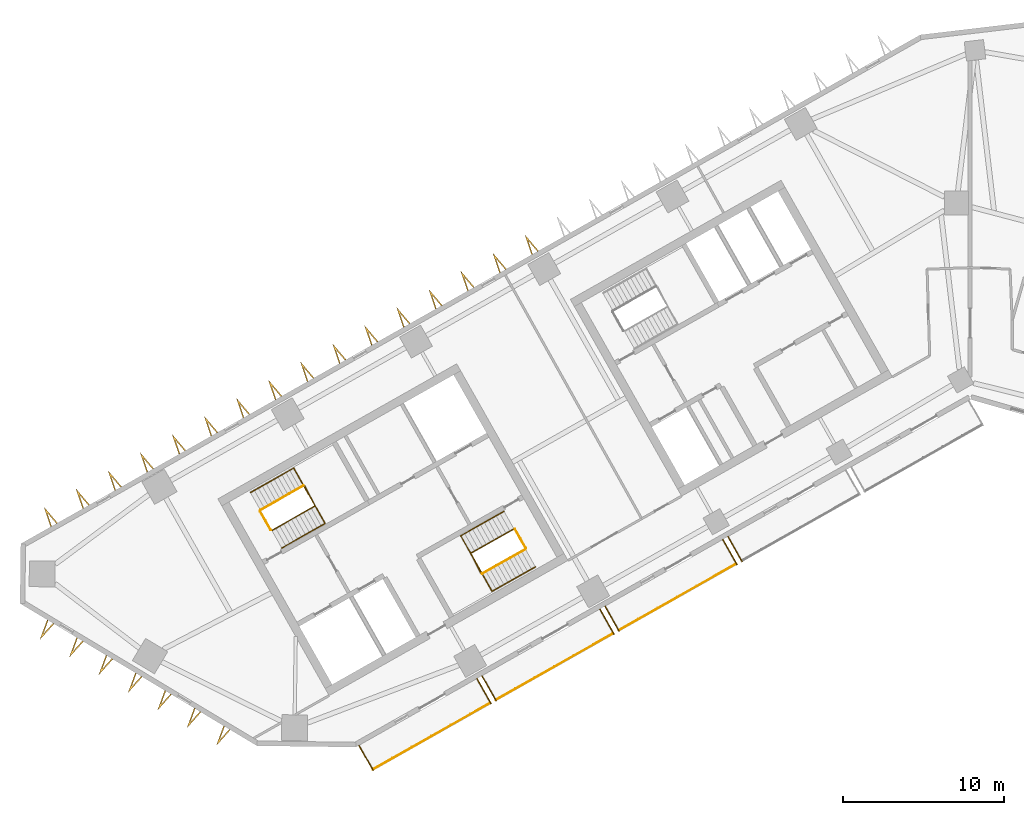
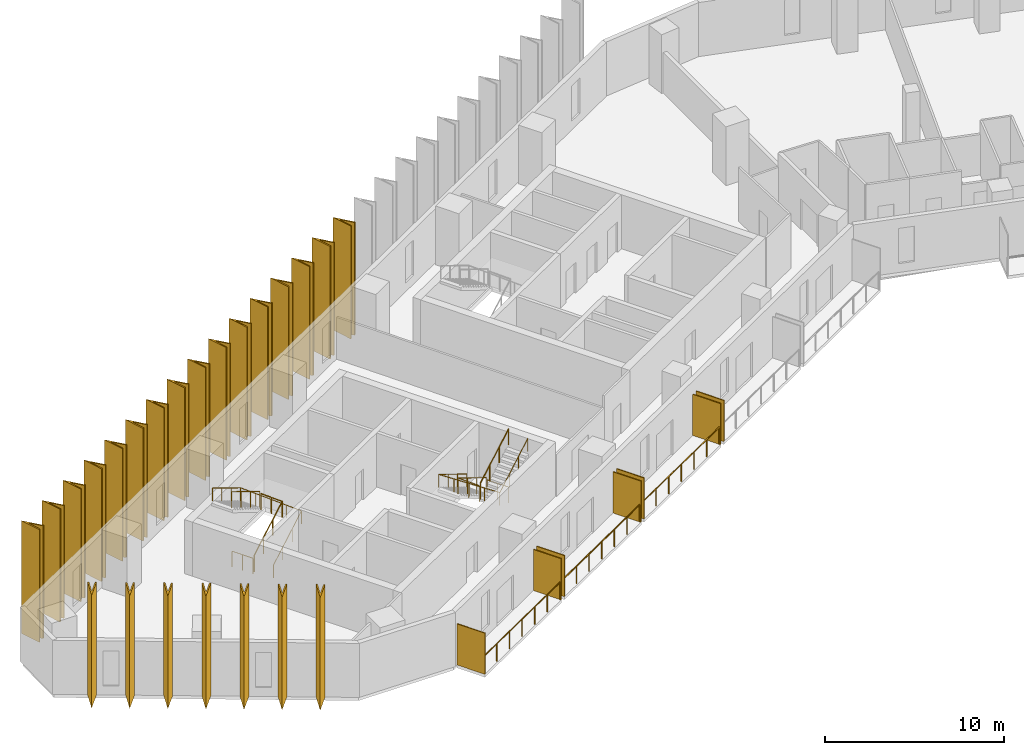
# One storey, part 8 of 10: 30 shading devices, 11 railings.
"""IFC4 building model written with IfcOpenShell, lengths in metres."""

from ifc_helpers import new_model, si_unit, direction, frame, origin, origin_2d, place, context, subcontext, project, spatial, polyline, rectangle, circle, outline, extrude, material, layer, layer_set, type_object, element, save


model = new_model("IFC4")

# Units and contexts
model_context = context("Model", 3, precision=1e-05, world=origin(), true_north=direction((0.0, 1.0)))
body_context = subcontext(model_context, "Body", "Model", "MODEL_VIEW")
ifc_project = project(units=[si_unit("LENGTHUNIT", "METRE"), si_unit("AREAUNIT", "SQUARE_METRE"), si_unit("VOLUMEUNIT", "CUBIC_METRE"), si_unit("PLANEANGLEUNIT", "RADIAN"), si_unit("MASSUNIT", "GRAM", prefix="KILO")], contexts=[model_context])

# Site, building, storey
site_placement = place(None, origin())
site = spatial("IfcSite", under=ifc_project, at=site_placement, CompositionType="ELEMENT")
building_placement = place(site_placement, origin())
building = spatial("IfcBuilding", under=site, at=building_placement, Name="Binnacle Exchange Tower", CompositionType="ELEMENT")
storey_placement = place(building_placement, frame((0.0, 0.0, 178.89990234375)))
storey = spatial("IfcBuildingStorey", under=building, at=storey_placement, Name="L38", CompositionType="ELEMENT", Elevation=178.89990234375)

# Railings
ifc_material_1 = material(Name="Bronze anodised aluminium frame", Category="aluminium")
railing_type_1 = type_object("IfcRailingType", Name="GUARD 1200", PredefinedType="GUARDRAIL", material=ifc_material_1)
railing_1_placement = place(storey_placement, frame((-36.994140625, 24.921142578125, 0.0)))
element("IfcRailing", 1, at=railing_1_placement, inside=storey, type_object=railing_type_1, Name="Balcony guard G01-B00 L38", PredefinedType="GUARDRAIL", context=body_context, shape_type="SweptSolid", body=[
    extrude(circle(Radius=0.02392578125, at=origin_2d()), frame((0.0, 0.0, 1.17578125), z_axis=(0.8703461643, 0.49244040684, 0.0), x_axis=(-0.49244040684, 0.8703461643, 0.0)), (0.0, 0.0, 1.0), 8.33447265625),
    extrude(circle(Radius=0.02099609375, at=origin_2d()), origin(), (0.0, 0.0, 1.0), 1.15185546875),
    extrude(circle(Radius=0.02099609375, at=origin_2d()), frame((1.208984375, 0.68408203125, 0.0)), (0.0, 0.0, 1.0), 1.15185546875),
    extrude(circle(Radius=0.02099609375, at=origin_2d()), frame((2.41796875, 1.3681640625, 0.0)), (0.0, 0.0, 1.0), 1.15185546875),
    extrude(circle(Radius=0.02099609375, at=origin_2d()), frame((3.626953125, 2.05224609375, 0.0)), (0.0, 0.0, 1.0), 1.15185546875),
    extrude(circle(Radius=0.02099609375, at=origin_2d()), frame((4.8359375, 2.736083984375, 0.0)), (0.0, 0.0, 1.0), 1.15185546875),
    extrude(circle(Radius=0.02099609375, at=origin_2d()), frame((6.044921875, 3.420166015625, 0.0)), (0.0, 0.0, 1.0), 1.15185546875),
    extrude(circle(Radius=0.02099609375, at=origin_2d()), frame((7.25390625, 4.104248046875, 0.0)), (0.0, 0.0, 1.0), 1.15185546875),
])
railing_2_placement = place(storey_placement, frame((-29.374755859375, 29.232177734375, 0.0)))
element("IfcRailing", 2, at=railing_2_placement, inside=storey, type_object=railing_type_1, Name="Balcony guard G01-B01 L38", PredefinedType="GUARDRAIL", context=body_context, shape_type="SweptSolid", body=[
    extrude(circle(Radius=0.02392578125, at=origin_2d()), frame((0.0, 0.0, 1.17578125), z_axis=(0.870365821494, 0.492405662818, 0.0), x_axis=(-0.492405662818, 0.870365821494, 0.0)), (0.0, 0.0, 1.0), 8.334716796875),
    extrude(circle(Radius=0.02099609375, at=origin_2d()), origin(), (0.0, 0.0, 1.0), 1.15185546875),
    extrude(circle(Radius=0.02099609375, at=origin_2d()), frame((1.208984375, 0.68408203125, 0.0)), (0.0, 0.0, 1.0), 1.15185546875),
    extrude(circle(Radius=0.02099609375, at=origin_2d()), frame((2.41796875, 1.367919921875, 0.0)), (0.0, 0.0, 1.0), 1.15185546875),
    extrude(circle(Radius=0.02099609375, at=origin_2d()), frame((3.626953125, 2.052001953125, 0.0)), (0.0, 0.0, 1.0), 1.15185546875),
    extrude(circle(Radius=0.02099609375, at=origin_2d()), frame((4.836181640625, 2.736083984375, 0.0)), (0.0, 0.0, 1.0), 1.15185546875),
    extrude(circle(Radius=0.02099609375, at=origin_2d()), frame((6.045166015625, 3.419921875, 0.0)), (0.0, 0.0, 1.0), 1.15185546875),
    extrude(circle(Radius=0.02099609375, at=origin_2d()), frame((7.254150390625, 4.10400390625, 0.0)), (0.0, 0.0, 1.0), 1.15185546875),
])
railing_3_placement = place(storey_placement, frame((-21.7548828125, 33.54296875, 0.0)))
element("IfcRailing", 3, at=railing_3_placement, inside=storey, type_object=railing_type_1, Name="Balcony guard G01-B02 L38", PredefinedType="GUARDRAIL", context=body_context, shape_type="SweptSolid", body=[
    extrude(circle(Radius=0.02392578125, at=origin_2d()), frame((0.0, 0.0, 1.17578125), z_axis=(0.870339060608, 0.492452961795, 0.0), x_axis=(-0.492452961795, 0.870339060608, 0.0)), (0.0, 0.0, 1.0), 8.334228515625),
    extrude(circle(Radius=0.02099609375, at=origin_2d()), origin(), (0.0, 0.0, 1.0), 1.15185546875),
    extrude(circle(Radius=0.02099609375, at=origin_2d()), frame((1.208984375, 0.68408203125, 0.0)), (0.0, 0.0, 1.0), 1.15185546875),
    extrude(circle(Radius=0.02099609375, at=origin_2d()), frame((2.41796875, 1.3681640625, 0.0)), (0.0, 0.0, 1.0), 1.15185546875),
    extrude(circle(Radius=0.02099609375, at=origin_2d()), frame((3.626953125, 2.05224609375, 0.0)), (0.0, 0.0, 1.0), 1.15185546875),
    extrude(circle(Radius=0.02099609375, at=origin_2d()), frame((4.835693359375, 2.736083984375, 0.0)), (0.0, 0.0, 1.0), 1.15185546875),
    extrude(circle(Radius=0.02099609375, at=origin_2d()), frame((6.044677734375, 3.420166015625, 0.0)), (0.0, 0.0, 1.0), 1.15185546875),
    extrude(circle(Radius=0.02099609375, at=origin_2d()), frame((7.253662109375, 4.104248046875, 0.0)), (0.0, 0.0, 1.0), 1.15185546875),
])

# Shading devices
ifc_material_2 = material(Name="Bronze aluminium louvre", Category="aluminium")
ifc_layer = layer(ifc_material_2, 0.06005859375)
ifc_layer_set = layer_set([ifc_layer], Name="PLANTED SCREEN 60x2800")
shading_device_type_1 = type_object("IfcShadingDeviceType", Name="PLANTED SCREEN 60x2800", PredefinedType="USERDEFINED", material=ifc_layer_set)
for number, where, z_axis, x_axis, name in (
    (4, (-37.424072265625, 25.6201171875, 0.0), (0.0, 0.0, 1.0), (0.87035569594, 0.492423560103, 0.0), "Planted screen G01-B00a L38"),
    (5, (-30.117919921875, 29.753662109375, 0.0), (0.0, 0.0, 1.0), (0.87035569594, 0.492423560103, 0.0), "Planted screen G01-B00b L38"),
    (6, (-29.8046875, 29.930908203125, 0.0), (0.0, 0.0, 1.0), (0.87035569594, 0.492423560103, 0.0), "Planted screen G01-B01a L38"),
    (7, (-22.498291015625, 34.064697265625, 0.0), (0.0, 0.0, 1.0), (0.87035569594, 0.492423560103, 0.0), "Planted screen G01-B01b L38"),
    (8, (-22.184814453125, 34.241943359375, 0.0), (0.0, 0.0, 1.0), (0.87035569594, 0.492423560103, 0.0), "Planted screen G01-B02a L38"),
    (9, (-14.878662109375, 38.37548828125, 0.0), (0.0, 0.0, 1.0), (0.87035569594, 0.492423560103, 0.0), "Planted screen G01-B02b L38"),
    (10, (-14.5654296875, 38.552978515625, 0.0), (0.0, 0.0, 1.0), (0.87035569594, 0.492423560103, 0.0), "Planted screen G01-B03a L38"),
):
    element("IfcShadingDevice", number, at=place(storey_placement, frame(where, z_axis=z_axis, x_axis=x_axis)), inside=storey, type_object=shading_device_type_1, Name=name, ObjectType="SCREEN", PredefinedType="USERDEFINED", context=body_context, shape_type="SweptSolid", body=[
        extrude(rectangle(XDim=0.06005859375, YDim=1.800048828125, at=origin_2d()), origin(), (0.0, 0.0, 1.0), 2.800048828125),
    ])

# Railings
ifc_material_3 = material(Name="Steel guard rail", Category="steel")
railing_type_2 = type_object("IfcRailingType", Name="STAIR GUARD 1100", PredefinedType="GUARDRAIL", material=ifc_material_3)
railing_4_placement = place(storey_placement, frame((-43.26171875, 39.71728515625, 0.166748046875)))
element("IfcRailing", 11, at=railing_4_placement, inside=storey, type_object=railing_type_2, Name="L38 STA1 stair guard 1", PredefinedType="GUARDRAIL", context=body_context, shape_type="SweptSolid", body=[
    extrude(circle(Radius=0.02392578125, at=origin_2d()), frame((0.0, 0.0, 1.076171875), z_axis=(0.747900833971, 0.423129324283, 0.511474258861), x_axis=(-0.492412445098, 0.870361984414, 0.0)), (0.0, 0.0, 1.0), 3.584228515625),
    extrude(circle(Radius=0.02392578125, at=origin_2d()), frame((2.6806640625, 1.5166015625, 2.9091796875), z_axis=(-0.461100321709, 0.887348011391, 0.0), x_axis=(-0.887348011391, -0.461100321709, 0.0)), (0.0, 0.0, 1.0), 1.40087890625),
    extrude(circle(Radius=0.02099609375, at=origin_2d()), origin(), (0.0, 0.0, 1.0), 1.052001953125),
    extrude(circle(Radius=0.02099609375, at=origin_2d()), frame((0.8935546875, 0.505615234375, 0.611083984375)), (0.0, 0.0, 1.0), 1.052001953125),
    extrude(circle(Radius=0.02099609375, at=origin_2d()), frame((1.787109375, 1.010986328125, 1.22216796875)), (0.0, 0.0, 1.0), 1.052001953125),
    extrude(circle(Radius=0.02099609375, at=origin_2d()), frame((2.6806640625, 1.5166015625, 1.833251953125)), (0.0, 0.0, 1.0), 1.052001953125),
    extrude(circle(Radius=0.02099609375, at=origin_2d()), frame((2.357666015625, 2.13818359375, 1.833251953125)), (0.0, 0.0, 1.0), 1.052001953125),
    extrude(circle(Radius=0.02099609375, at=origin_2d()), frame((2.03466796875, 2.759765625, 1.833251953125)), (0.0, 0.0, 1.0), 1.052001953125),
])
railing_5_placement = place(storey_placement, frame((-41.295166015625, 42.49609375, 2.166748046875)))
element("IfcRailing", 12, at=railing_5_placement, inside=storey, type_object=railing_type_2, Name="L38 STA1 stair guard 2", PredefinedType="GUARDRAIL", context=body_context, shape_type="SweptSolid", body=[
    extrude(circle(Radius=0.02392578125, at=origin_2d()), frame((0.0, 0.0, 1.076171875), z_axis=(-0.747879277632, -0.423185241524, 0.511459516916), x_axis=(0.492472489424, -0.870328011247, 0.0)), (0.0, 0.0, 1.0), 3.58447265625),
    extrude(circle(Radius=0.02099609375, at=origin_2d()), origin(), (0.0, 0.0, 1.0), 1.052001953125),
    extrude(circle(Radius=0.02099609375, at=origin_2d()), frame((-0.8935546875, -0.505615234375, 0.611083984375)), (0.0, 0.0, 1.0), 1.052001953125),
    extrude(circle(Radius=0.02099609375, at=origin_2d()), frame((-1.787109375, -1.01123046875, 1.22216796875)), (0.0, 0.0, 1.0), 1.052001953125),
    extrude(circle(Radius=0.02099609375, at=origin_2d()), frame((-2.6806640625, -1.516845703125, 1.833251953125)), (0.0, 0.0, 1.0), 1.052001953125),
])
railing_6_placement = place(storey_placement, frame((-43.329833984375, 39.736328125, 0.0)))
element("IfcRailing", 13, at=railing_6_placement, inside=storey, type_object=railing_type_2, Name="L38 STA1 stair guard 3", PredefinedType="GUARDRAIL", context=body_context, shape_type="SweptSolid", body=[
    extrude(circle(Radius=0.02392578125, at=origin_2d()), frame((0.0, 0.0, 1.076171875), z_axis=(-0.4924922531, 0.870316827734, 0.0), x_axis=(-0.870316827734, -0.4924922531, 0.0)), (0.0, 0.0, 1.0), 1.349853515625),
    extrude(circle(Radius=0.02099609375, at=origin_2d()), origin(), (0.0, 0.0, 1.0), 1.052001953125),
    extrude(circle(Radius=0.02099609375, at=origin_2d()), frame((-0.33251953125, 0.58740234375, 0.0)), (0.0, 0.0, 1.0), 1.052001953125),
    extrude(circle(Radius=0.02099609375, at=origin_2d()), frame((-0.664794921875, 1.1748046875, 0.0)), (0.0, 0.0, 1.0), 1.052001953125),
])
railing_7_placement = place(storey_placement, frame((-28.265380859375, 39.814453125, 0.166748046875)))
element("IfcRailing", 14, at=railing_7_placement, inside=storey, type_object=railing_type_2, Name="L38 STA2 stair guard 1", PredefinedType="GUARDRAIL", context=body_context, shape_type="SweptSolid", body=[
    extrude(circle(Radius=0.02392578125, at=origin_2d()), frame((0.0, 0.0, 1.076171875), z_axis=(-0.747900833971, -0.423129324283, 0.511474258861), x_axis=(0.492412445098, -0.870361984414, 0.0)), (0.0, 0.0, 1.0), 3.584228515625),
    extrude(circle(Radius=0.02392578125, at=origin_2d()), frame((-2.6806640625, -1.5166015625, 2.9091796875), z_axis=(0.460963092712, -0.887419307406, 0.0), x_axis=(0.887419307406, 0.460963092712, 0.0)), (0.0, 0.0, 1.0), 1.40087890625),
    extrude(circle(Radius=0.02099609375, at=origin_2d()), origin(), (0.0, 0.0, 1.0), 1.052001953125),
    extrude(circle(Radius=0.02099609375, at=origin_2d()), frame((-0.8935546875, -0.505615234375, 0.611083984375)), (0.0, 0.0, 1.0), 1.052001953125),
    extrude(circle(Radius=0.02099609375, at=origin_2d()), frame((-1.787109375, -1.010986328125, 1.22216796875)), (0.0, 0.0, 1.0), 1.052001953125),
    extrude(circle(Radius=0.02099609375, at=origin_2d()), frame((-2.6806640625, -1.5166015625, 1.833251953125)), (0.0, 0.0, 1.0), 1.052001953125),
    extrude(circle(Radius=0.02099609375, at=origin_2d()), frame((-2.35791015625, -2.13818359375, 1.833251953125)), (0.0, 0.0, 1.0), 1.052001953125),
    extrude(circle(Radius=0.02099609375, at=origin_2d()), frame((-2.034912109375, -2.759765625, 1.833251953125)), (0.0, 0.0, 1.0), 1.052001953125),
])
railing_8_placement = place(storey_placement, frame((-30.232177734375, 37.035888671875, 2.166748046875)))
element("IfcRailing", 15, at=railing_8_placement, inside=storey, type_object=railing_type_2, Name="L38 STA2 stair guard 2", PredefinedType="GUARDRAIL", context=body_context, shape_type="SweptSolid", body=[
    extrude(circle(Radius=0.02392578125, at=origin_2d()), frame((0.0, 0.0, 1.076171875), z_axis=(0.747900833971, 0.423129324283, 0.511474258861), x_axis=(-0.492412445098, 0.870361984414, 0.0)), (0.0, 0.0, 1.0), 3.584228515625),
    extrude(circle(Radius=0.02099609375, at=origin_2d()), origin(), (0.0, 0.0, 1.0), 1.052001953125),
    extrude(circle(Radius=0.02099609375, at=origin_2d()), frame((0.8935546875, 0.505615234375, 0.611083984375)), (0.0, 0.0, 1.0), 1.052001953125),
    extrude(circle(Radius=0.02099609375, at=origin_2d()), frame((1.787109375, 1.010986328125, 1.22216796875)), (0.0, 0.0, 1.0), 1.052001953125),
    extrude(circle(Radius=0.02099609375, at=origin_2d()), frame((2.6806640625, 1.5166015625, 1.833251953125)), (0.0, 0.0, 1.0), 1.052001953125),
])
railing_9_placement = place(storey_placement, frame((-28.197265625, 39.795654296875, 0.0)))
element("IfcRailing", 16, at=railing_9_placement, inside=storey, type_object=railing_type_2, Name="L38 STA2 stair guard 3", PredefinedType="GUARDRAIL", context=body_context, shape_type="SweptSolid", body=[
    extrude(circle(Radius=0.02392578125, at=origin_2d()), frame((0.0, 0.0, 1.076171875), z_axis=(0.49241474071, -0.870360685654, 0.0), x_axis=(0.870360685654, 0.49241474071, 0.0)), (0.0, 0.0, 1.0), 1.35009765625),
    extrude(circle(Radius=0.02099609375, at=origin_2d()), origin(), (0.0, 0.0, 1.0), 1.052001953125),
    extrude(circle(Radius=0.02099609375, at=origin_2d()), frame((0.33251953125, -0.58740234375, 0.0)), (0.0, 0.0, 1.0), 1.052001953125),
    extrude(circle(Radius=0.02099609375, at=origin_2d()), frame((0.664794921875, -1.175048828125, 0.0)), (0.0, 0.0, 1.0), 1.052001953125),
])
ifc_material_4 = material(Name="Steel handrail", Category="steel")
railing_type_3 = type_object("IfcRailingType", Name="STAIR HANDRAIL 900", PredefinedType="HANDRAIL", material=ifc_material_4)
railing_10_placement = place(storey_placement, frame((-42.646240234375, 38.62939453125, 0.166748046875)))
element("IfcRailing", 17, at=railing_10_placement, inside=storey, type_object=railing_type_3, Name="L38 STA1 stair handrail 1", PredefinedType="HANDRAIL", context=body_context, shape_type="SweptSolid", body=[
    extrude(circle(Radius=0.02392578125, at=origin_2d()), frame((0.0, 0.0, 0.8759765625), z_axis=(0.747900833971, 0.423129324283, 0.511474258861), x_axis=(-0.492412445098, 0.870361984414, 0.0)), (0.0, 0.0, 1.0), 3.584228515625),
    extrude(circle(Radius=0.02392578125, at=origin_2d()), frame((2.6806640625, 1.5166015625, 2.708984375), z_axis=(-0.491975462752, 0.869586854082, 0.042176382711), x_axis=(-0.870361318571, -0.492413622004, 0.0)), (0.0, 0.0, 1.0), 3.95361328125),
    extrude(circle(Radius=0.02392578125, at=origin_2d()), frame((0.735595703125, 4.95458984375, 2.8759765625), z_axis=(-0.747900833971, -0.423129324283, 0.511474258861), x_axis=(0.492412445098, -0.870361984414, 0.0)), (0.0, 0.0, 1.0), 3.584228515625),
    extrude(circle(Radius=0.02099609375, at=origin_2d()), origin(), (0.0, 0.0, 1.0), 0.851806640625),
    extrude(circle(Radius=0.02099609375, at=origin_2d()), frame((0.8935546875, 0.505615234375, 0.611083984375)), (0.0, 0.0, 1.0), 0.851806640625),
    extrude(circle(Radius=0.02099609375, at=origin_2d()), frame((1.787109375, 1.010986328125, 1.22216796875)), (0.0, 0.0, 1.0), 0.851806640625),
    extrude(circle(Radius=0.02099609375, at=origin_2d()), frame((2.6806640625, 1.5166015625, 1.833251953125)), (0.0, 0.0, 1.0), 0.851806640625),
    extrude(circle(Radius=0.02099609375, at=origin_2d()), frame((2.1943359375, 2.3759765625, 1.875)), (0.0, 0.0, 1.0), 0.851806640625),
    extrude(circle(Radius=0.02099609375, at=origin_2d()), frame((1.7080078125, 3.235595703125, 1.91650390625)), (0.0, 0.0, 1.0), 0.851806640625),
    extrude(circle(Radius=0.02099609375, at=origin_2d()), frame((1.221923828125, 4.09521484375, 1.958251953125)), (0.0, 0.0, 1.0), 0.851806640625),
    extrude(circle(Radius=0.02099609375, at=origin_2d()), frame((0.735595703125, 4.95458984375, 2.0)), (0.0, 0.0, 1.0), 0.851806640625),
    extrude(circle(Radius=0.02099609375, at=origin_2d()), frame((-0.157958984375, 4.448974609375, 2.611083984375)), (0.0, 0.0, 1.0), 0.851806640625),
    extrude(circle(Radius=0.02099609375, at=origin_2d()), frame((-1.051513671875, 3.943603515625, 3.22216796875)), (0.0, 0.0, 1.0), 0.851806640625),
    extrude(circle(Radius=0.02099609375, at=origin_2d()), frame((-1.945068359375, 3.43798828125, 3.833251953125)), (0.0, 0.0, 1.0), 0.851806640625),
])
railing_11_placement = place(storey_placement, frame((-28.880859375, 40.90234375, 0.166748046875)))
element("IfcRailing", 18, at=railing_11_placement, inside=storey, type_object=railing_type_3, Name="L38 STA2 stair handrail 1", PredefinedType="HANDRAIL", context=body_context, shape_type="SweptSolid", body=[
    extrude(circle(Radius=0.02392578125, at=origin_2d()), frame((0.0, 0.0, 0.8759765625), z_axis=(-0.747930846092, -0.423107769413, 0.511448203561), x_axis=(0.492378474645, -0.870381202524, 0.0)), (0.0, 0.0, 1.0), 3.58447265625),
    extrude(circle(Radius=0.02392578125, at=origin_2d()), frame((-2.680908203125, -1.5166015625, 2.708984375), z_axis=(0.491975462752, -0.869586854082, 0.042176382711), x_axis=(0.870361318571, 0.492413622004, 0.0)), (0.0, 0.0, 1.0), 3.95361328125),
    extrude(circle(Radius=0.02392578125, at=origin_2d()), frame((-0.73583984375, -4.95458984375, 2.8759765625), z_axis=(0.747909291085, 0.423163685048, 0.51143346387), x_axis=(-0.49243851748, 0.870347233294, 0.0)), (0.0, 0.0, 1.0), 3.58447265625),
    extrude(circle(Radius=0.02099609375, at=origin_2d()), origin(), (0.0, 0.0, 1.0), 0.851806640625),
    extrude(circle(Radius=0.02099609375, at=origin_2d()), frame((-0.8935546875, -0.505615234375, 0.611083984375)), (0.0, 0.0, 1.0), 0.851806640625),
    extrude(circle(Radius=0.02099609375, at=origin_2d()), frame((-1.787353515625, -1.010986328125, 1.22216796875)), (0.0, 0.0, 1.0), 0.851806640625),
    extrude(circle(Radius=0.02099609375, at=origin_2d()), frame((-2.680908203125, -1.5166015625, 1.833251953125)), (0.0, 0.0, 1.0), 0.851806640625),
    extrude(circle(Radius=0.02099609375, at=origin_2d()), frame((-2.194580078125, -2.3759765625, 1.875)), (0.0, 0.0, 1.0), 0.851806640625),
    extrude(circle(Radius=0.02099609375, at=origin_2d()), frame((-1.70849609375, -3.235595703125, 1.91650390625)), (0.0, 0.0, 1.0), 0.851806640625),
    extrude(circle(Radius=0.02099609375, at=origin_2d()), frame((-1.22216796875, -4.09521484375, 1.958251953125)), (0.0, 0.0, 1.0), 0.851806640625),
    extrude(circle(Radius=0.02099609375, at=origin_2d()), frame((-0.73583984375, -4.95458984375, 2.0)), (0.0, 0.0, 1.0), 0.851806640625),
    extrude(circle(Radius=0.02099609375, at=origin_2d()), frame((0.15771484375, -4.448974609375, 2.611083984375)), (0.0, 0.0, 1.0), 0.851806640625),
    extrude(circle(Radius=0.02099609375, at=origin_2d()), frame((1.051513671875, -3.943359375, 3.22216796875)), (0.0, 0.0, 1.0), 0.851806640625),
    extrude(circle(Radius=0.02099609375, at=origin_2d()), frame((1.945068359375, -3.437744140625, 3.833251953125)), (0.0, 0.0, 1.0), 0.851806640625),
])

# Shading devices
ifc_material_5 = material(Name="Bronze aluminium cladding", Category="aluminium")
shading_device_type_2 = type_object("IfcShadingDeviceType", Name="V FIN 1300 DEEP x 7680 HIGH", PredefinedType="USERDEFINED", material=ifc_material_5)
shading_device_1_placement = place(storey_placement, origin())
element("IfcShadingDevice", 19, at=shading_device_1_placement, inside=storey, type_object=shading_device_type_2, Name="V fin FN-G08-12 L38", ObjectType="FIN", PredefinedType="USERDEFINED", context=body_context, shape_type="SweptSolid", body=[
    extrude(outline(polyline([(-26.7412109375, 57.04296875), (-27.59912109375, 58.05126953125), (-27.176513671875, 56.796630859375), (-27.10546875, 56.8369140625), (-27.390380859375, 57.6826171875), (-26.81201171875, 57.002685546875), (-26.7412109375, 57.04296875)])), origin(), (0.0, 0.0, 1.0), 7.68017578125),
])
shading_device_2_placement = place(storey_placement, origin())
element("IfcShadingDevice", 20, at=shading_device_2_placement, inside=storey, type_object=shading_device_type_2, Name="V fin FN-G08-13 L38", ObjectType="FIN", PredefinedType="USERDEFINED", context=body_context, shape_type="SweptSolid", body=[
    extrude(outline(polyline([(-28.727783203125, 55.9189453125), (-29.58544921875, 56.92724609375), (-29.162841796875, 55.672607421875), (-29.092041015625, 55.712890625), (-29.376708984375, 56.55859375), (-28.798583984375, 55.87890625), (-28.727783203125, 55.9189453125)])), origin(), (0.0, 0.0, 1.0), 7.68017578125),
])
shading_device_3_placement = place(storey_placement, origin())
element("IfcShadingDevice", 21, at=shading_device_3_placement, inside=storey, type_object=shading_device_type_2, Name="V fin FN-G08-14 L38", ObjectType="FIN", PredefinedType="USERDEFINED", context=body_context, shape_type="SweptSolid", body=[
    extrude(outline(polyline([(-30.71435546875, 54.794921875), (-31.572021484375, 55.803466796875), (-31.1494140625, 54.548828125), (-31.07861328125, 54.5888671875), (-31.36328125, 55.434814453125), (-30.78515625, 54.7548828125), (-30.71435546875, 54.794921875)])), origin(), (0.0, 0.0, 1.0), 7.68017578125),
])
shading_device_4_placement = place(storey_placement, origin())
element("IfcShadingDevice", 22, at=shading_device_4_placement, inside=storey, type_object=shading_device_type_2, Name="V fin FN-G08-15 L38", ObjectType="FIN", PredefinedType="USERDEFINED", context=body_context, shape_type="SweptSolid", body=[
    extrude(outline(polyline([(-32.70068359375, 53.6708984375), (-33.55859375, 54.679443359375), (-33.135986328125, 53.4248046875), (-33.065185546875, 53.46484375), (-33.349853515625, 54.310791015625), (-32.771728515625, 53.630859375), (-32.70068359375, 53.6708984375)])), origin(), (0.0, 0.0, 1.0), 7.68017578125),
])
shading_device_5_placement = place(storey_placement, origin())
element("IfcShadingDevice", 23, at=shading_device_5_placement, inside=storey, type_object=shading_device_type_2, Name="V fin FN-G08-16 L38", ObjectType="FIN", PredefinedType="USERDEFINED", context=body_context, shape_type="SweptSolid", body=[
    extrude(outline(polyline([(-34.687255859375, 52.547119140625), (-35.545166015625, 53.555419921875), (-35.12255859375, 52.30078125), (-35.051513671875, 52.341064453125), (-35.33642578125, 53.186767578125), (-34.75830078125, 52.507080078125), (-34.687255859375, 52.547119140625)])), origin(), (0.0, 0.0, 1.0), 7.68017578125),
])
shading_device_6_placement = place(storey_placement, origin())
element("IfcShadingDevice", 24, at=shading_device_6_placement, inside=storey, type_object=shading_device_type_2, Name="V fin FN-G08-17 L38", ObjectType="FIN", PredefinedType="USERDEFINED", context=body_context, shape_type="SweptSolid", body=[
    extrude(outline(polyline([(-36.673828125, 51.423095703125), (-37.53173828125, 52.431640625), (-37.109130859375, 51.177001953125), (-37.0380859375, 51.217041015625), (-37.322998046875, 52.06298828125), (-36.744873046875, 51.383056640625), (-36.673828125, 51.423095703125)])), origin(), (0.0, 0.0, 1.0), 7.68017578125),
])
shading_device_7_placement = place(storey_placement, origin())
element("IfcShadingDevice", 25, at=shading_device_7_placement, inside=storey, type_object=shading_device_type_2, Name="V fin FN-G08-18 L38", ObjectType="FIN", PredefinedType="USERDEFINED", context=body_context, shape_type="SweptSolid", body=[
    extrude(outline(polyline([(-38.660400390625, 50.29931640625), (-39.518310546875, 51.3076171875), (-39.095703125, 50.052978515625), (-39.02490234375, 50.093017578125), (-39.3095703125, 50.93896484375), (-38.7314453125, 50.259033203125), (-38.660400390625, 50.29931640625)])), origin(), (0.0, 0.0, 1.0), 7.68017578125),
])
shading_device_8_placement = place(storey_placement, origin())
element("IfcShadingDevice", 26, at=shading_device_8_placement, inside=storey, type_object=shading_device_type_2, Name="V fin FN-G08-19 L38", ObjectType="FIN", PredefinedType="USERDEFINED", context=body_context, shape_type="SweptSolid", body=[
    extrude(outline(polyline([(-40.64697265625, 49.17529296875), (-41.5048828125, 50.18359375), (-41.082275390625, 48.92919921875), (-41.01123046875, 48.96923828125), (-41.296142578125, 49.81494140625), (-40.718017578125, 49.13525390625), (-40.64697265625, 49.17529296875)])), origin(), (0.0, 0.0, 1.0), 7.68017578125),
])
shading_device_9_placement = place(storey_placement, origin())
element("IfcShadingDevice", 27, at=shading_device_9_placement, inside=storey, type_object=shading_device_type_2, Name="V fin FN-G08-20 L38", ObjectType="FIN", PredefinedType="USERDEFINED", context=body_context, shape_type="SweptSolid", body=[
    extrude(outline(polyline([(-42.633544921875, 48.05126953125), (-43.491455078125, 49.059814453125), (-43.06884765625, 47.80517578125), (-42.997802734375, 47.84521484375), (-43.28271484375, 48.69091796875), (-42.70458984375, 48.01123046875), (-42.633544921875, 48.05126953125)])), origin(), (0.0, 0.0, 1.0), 7.68017578125),
])
shading_device_10_placement = place(storey_placement, origin())
element("IfcShadingDevice", 28, at=shading_device_10_placement, inside=storey, type_object=shading_device_type_2, Name="V fin FN-G08-21 L38", ObjectType="FIN", PredefinedType="USERDEFINED", context=body_context, shape_type="SweptSolid", body=[
    extrude(outline(polyline([(-44.6201171875, 46.927490234375), (-45.47802734375, 47.935791015625), (-45.055419921875, 46.68115234375), (-44.984619140625, 46.72119140625), (-45.269287109375, 47.567138671875), (-44.691162109375, 46.88720703125), (-44.6201171875, 46.927490234375)])), origin(), (0.0, 0.0, 1.0), 7.68017578125),
])
shading_device_11_placement = place(storey_placement, origin())
element("IfcShadingDevice", 29, at=shading_device_11_placement, inside=storey, type_object=shading_device_type_2, Name="V fin FN-G08-22 L38", ObjectType="FIN", PredefinedType="USERDEFINED", context=body_context, shape_type="SweptSolid", body=[
    extrude(outline(polyline([(-46.606689453125, 45.803466796875), (-47.464599609375, 46.81201171875), (-47.0419921875, 45.557373046875), (-46.970947265625, 45.597412109375), (-47.255859375, 46.443115234375), (-46.677490234375, 45.763427734375), (-46.606689453125, 45.803466796875)])), origin(), (0.0, 0.0, 1.0), 7.68017578125),
])
shading_device_12_placement = place(storey_placement, origin())
element("IfcShadingDevice", 30, at=shading_device_12_placement, inside=storey, type_object=shading_device_type_2, Name="V fin FN-G08-23 L38", ObjectType="FIN", PredefinedType="USERDEFINED", context=body_context, shape_type="SweptSolid", body=[
    extrude(outline(polyline([(-48.59326171875, 44.679443359375), (-49.451171875, 45.68798828125), (-49.028564453125, 44.433349609375), (-48.95751953125, 44.473388671875), (-49.242431640625, 45.319091796875), (-48.664306640625, 44.639404296875), (-48.59326171875, 44.679443359375)])), origin(), (0.0, 0.0, 1.0), 7.68017578125),
])
shading_device_13_placement = place(storey_placement, origin())
element("IfcShadingDevice", 31, at=shading_device_13_placement, inside=storey, type_object=shading_device_type_2, Name="V fin FN-G08-24 L38", ObjectType="FIN", PredefinedType="USERDEFINED", context=body_context, shape_type="SweptSolid", body=[
    extrude(outline(polyline([(-50.579833984375, 43.5556640625), (-51.4375, 44.56396484375), (-51.014892578125, 43.309326171875), (-50.944091796875, 43.349609375), (-51.22900390625, 44.1953125), (-50.650634765625, 43.515380859375), (-50.579833984375, 43.5556640625)])), origin(), (0.0, 0.0, 1.0), 7.68017578125),
])
shading_device_14_placement = place(storey_placement, origin())
element("IfcShadingDevice", 32, at=shading_device_14_placement, inside=storey, type_object=shading_device_type_2, Name="V fin FN-G08-25 L38", ObjectType="FIN", PredefinedType="USERDEFINED", context=body_context, shape_type="SweptSolid", body=[
    extrude(outline(polyline([(-52.56640625, 42.431640625), (-53.42431640625, 43.440185546875), (-53.001708984375, 42.185546875), (-52.9306640625, 42.2255859375), (-53.215576171875, 43.0712890625), (-52.63720703125, 42.3916015625), (-52.56640625, 42.431640625)])), origin(), (0.0, 0.0, 1.0), 7.68017578125),
])
shading_device_15_placement = place(storey_placement, origin())
element("IfcShadingDevice", 33, at=shading_device_15_placement, inside=storey, type_object=shading_device_type_2, Name="V fin FN-G08-26 L38", ObjectType="FIN", PredefinedType="USERDEFINED", context=body_context, shape_type="SweptSolid", body=[
    extrude(outline(polyline([(-54.552978515625, 41.3076171875), (-55.410888671875, 42.316162109375), (-54.98828125, 41.0615234375), (-54.917236328125, 41.1015625), (-55.2021484375, 41.947509765625), (-54.623779296875, 41.267578125), (-54.552978515625, 41.3076171875)])), origin(), (0.0, 0.0, 1.0), 7.68017578125),
])
shading_device_16_placement = place(storey_placement, origin())
element("IfcShadingDevice", 34, at=shading_device_16_placement, inside=storey, type_object=shading_device_type_2, Name="V fin FN-G08-27 L38", ObjectType="FIN", PredefinedType="USERDEFINED", context=body_context, shape_type="SweptSolid", body=[
    extrude(outline(polyline([(-56.53955078125, 40.183837890625), (-57.397216796875, 41.192138671875), (-56.974609375, 39.9375), (-56.90380859375, 39.977783203125), (-57.188720703125, 40.823486328125), (-56.6103515625, 40.143798828125), (-56.53955078125, 40.183837890625)])), origin(), (0.0, 0.0, 1.0), 7.68017578125),
])
shading_device_17_placement = place(storey_placement, origin())
element("IfcShadingDevice", 35, at=shading_device_17_placement, inside=storey, type_object=shading_device_type_2, Name="V fin FN-G10-01 L38", ObjectType="FIN", PredefinedType="USERDEFINED", context=body_context, shape_type="SweptSolid", body=[
    extrude(outline(polyline([(-57.18603515625, 34.185791015625), (-57.641357421875, 32.94287109375), (-56.757568359375, 33.92822265625), (-56.827392578125, 33.97021484375), (-57.423095703125, 33.305908203125), (-57.1162109375, 34.143798828125), (-57.18603515625, 34.185791015625)])), origin(), (0.0, 0.0, 1.0), 7.68017578125),
])
shading_device_18_placement = place(storey_placement, origin())
element("IfcShadingDevice", 36, at=shading_device_18_placement, inside=storey, type_object=shading_device_type_2, Name="V fin FN-G10-02 L38", ObjectType="FIN", PredefinedType="USERDEFINED", context=body_context, shape_type="SweptSolid", body=[
    extrude(outline(polyline([(-55.364501953125, 33.09130859375), (-55.81982421875, 31.848388671875), (-54.93603515625, 32.833740234375), (-55.005859375, 32.875732421875), (-55.601806640625, 32.21142578125), (-55.294921875, 33.04931640625), (-55.364501953125, 33.09130859375)])), origin(), (0.0, 0.0, 1.0), 7.68017578125),
])
shading_device_19_placement = place(storey_placement, origin())
element("IfcShadingDevice", 37, at=shading_device_19_placement, inside=storey, type_object=shading_device_type_2, Name="V fin FN-G10-03 L38", ObjectType="FIN", PredefinedType="USERDEFINED", context=body_context, shape_type="SweptSolid", body=[
    extrude(outline(polyline([(-53.543212890625, 31.9970703125), (-53.998291015625, 30.75390625), (-53.114501953125, 31.739501953125), (-53.184326171875, 31.781494140625), (-53.7802734375, 31.116943359375), (-53.473388671875, 31.955078125), (-53.543212890625, 31.9970703125)])), origin(), (0.0, 0.0, 1.0), 7.68017578125),
])
shading_device_20_placement = place(storey_placement, origin())
element("IfcShadingDevice", 38, at=shading_device_20_placement, inside=storey, type_object=shading_device_type_2, Name="V fin FN-G10-04 L38", ObjectType="FIN", PredefinedType="USERDEFINED", context=body_context, shape_type="SweptSolid", body=[
    extrude(outline(polyline([(-51.7216796875, 30.902587890625), (-52.1767578125, 29.659423828125), (-51.29296875, 30.64501953125), (-51.36279296875, 30.68701171875), (-51.958740234375, 30.0224609375), (-51.65185546875, 30.860595703125), (-51.7216796875, 30.902587890625)])), origin(), (0.0, 0.0, 1.0), 7.68017578125),
])
shading_device_21_placement = place(storey_placement, origin())
element("IfcShadingDevice", 39, at=shading_device_21_placement, inside=storey, type_object=shading_device_type_2, Name="V fin FN-G10-05 L38", ObjectType="FIN", PredefinedType="USERDEFINED", context=body_context, shape_type="SweptSolid", body=[
    extrude(outline(polyline([(-49.900146484375, 29.80810546875), (-50.35546875, 28.56494140625), (-49.4716796875, 29.55029296875), (-49.54150390625, 29.59228515625), (-50.13720703125, 28.927978515625), (-49.830322265625, 29.76611328125), (-49.900146484375, 29.80810546875)])), origin(), (0.0, 0.0, 1.0), 7.68017578125),
])
shading_device_22_placement = place(storey_placement, origin())
element("IfcShadingDevice", 40, at=shading_device_22_placement, inside=storey, type_object=shading_device_type_2, Name="V fin FN-G10-06 L38", ObjectType="FIN", PredefinedType="USERDEFINED", context=body_context, shape_type="SweptSolid", body=[
    extrude(outline(polyline([(-48.07861328125, 28.713623046875), (-48.533935546875, 27.470458984375), (-47.650146484375, 28.4560546875), (-47.719970703125, 28.498046875), (-48.31591796875, 27.83349609375), (-48.0087890625, 28.671630859375), (-48.07861328125, 28.713623046875)])), origin(), (0.0, 0.0, 1.0), 7.68017578125),
])
shading_device_23_placement = place(storey_placement, origin())
element("IfcShadingDevice", 41, at=shading_device_23_placement, inside=storey, type_object=shading_device_type_2, Name="V fin FN-G10-07 L38", ObjectType="FIN", PredefinedType="USERDEFINED", context=body_context, shape_type="SweptSolid", body=[
    extrude(outline(polyline([(-46.257080078125, 27.619140625), (-46.71240234375, 26.3759765625), (-45.82861328125, 27.361572265625), (-45.8984375, 27.403564453125), (-46.494384765625, 26.739013671875), (-46.1875, 27.5771484375), (-46.257080078125, 27.619140625)])), origin(), (0.0, 0.0, 1.0), 7.68017578125),
])

save(model, "model.ifc")
